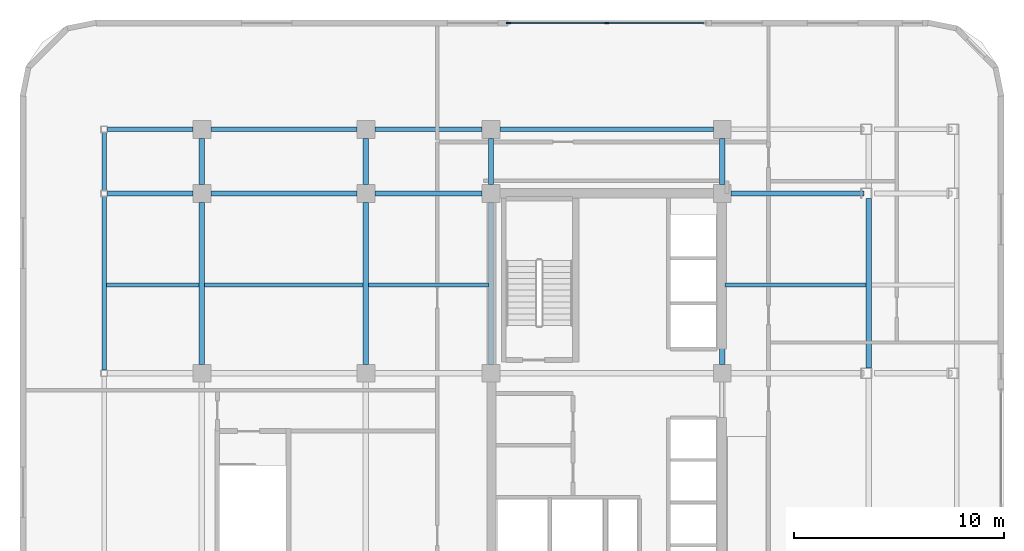
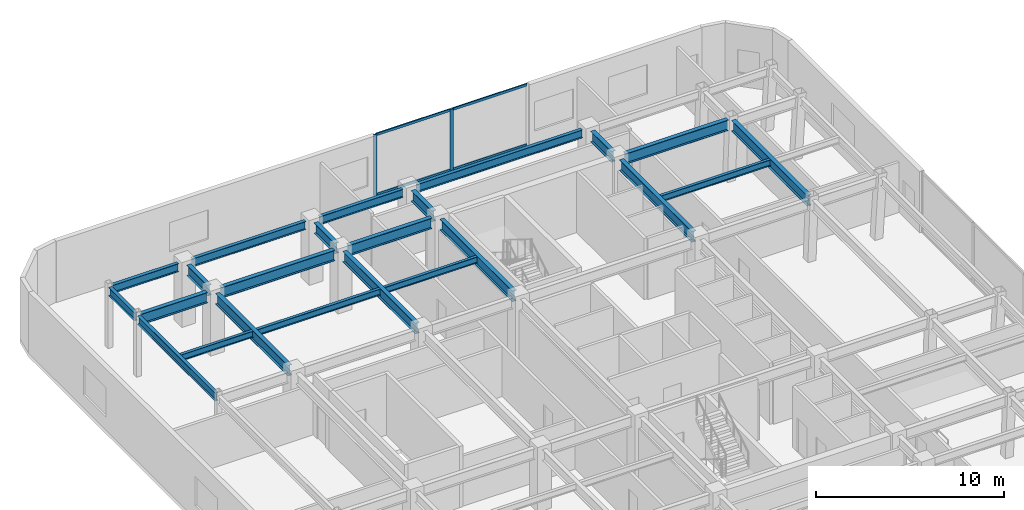
# One storey, part 6 of 13: 23 beams, 6 members, 1 element without a shape of its own.
"""IFC4 building model written with IfcOpenShell, lengths in metres."""

from ifc_helpers import new_model, si_unit, direction, frame, origin, origin_2d, place, context, subcontext, project, spatial, rectangle, i_section, extrude, material, layer, layer_set, material_profile, profile_set, type_object, element, aggregate, save


model = new_model("IFC4")

# Units and contexts
model_context = context("Model", 3, precision=1e-05, world=origin(), true_north=direction((0.0, 1.0)))
body_context = subcontext(model_context, "Body", "Model", "MODEL_VIEW")
ifc_project = project(units=[si_unit("LENGTHUNIT", "METRE"), si_unit("AREAUNIT", "SQUARE_METRE"), si_unit("VOLUMEUNIT", "CUBIC_METRE"), si_unit("PLANEANGLEUNIT", "RADIAN"), si_unit("MASSUNIT", "GRAM", prefix="KILO")], contexts=[model_context])

# Site, building, storey
site_placement = place(None, origin())
site = spatial("IfcSite", under=ifc_project, at=site_placement, CompositionType="ELEMENT")
building_placement = place(site_placement, origin())
building = spatial("IfcBuilding", under=site, at=building_placement, Name="Ochreholt Gables", CompositionType="ELEMENT")
storey_placement = place(building_placement, frame((0.0, 0.0, 60.0)))
storey = spatial("IfcBuildingStorey", under=building, at=storey_placement, Name="L15", CompositionType="ELEMENT", Elevation=60.0)

# Beams
ifc_material_1 = material(Name="Steel CSA G40.21 350W", Category="steel")
ifc_material_profile_1 = material_profile(ifc_material_1, i_section(OverallWidth=0.256103515625, OverallDepth=0.693115234375, WebThickness=0.014404296875, FlangeThickness=0.023681640625, at=origin_2d()), Name="W690X170")
ifc_profile_set_1 = profile_set([ifc_material_profile_1], Name="Steel CSA G40.21 350W")
beam_type_1 = type_object("IfcBeamType", Name="BM-G-W690", PredefinedType="BEAM", material=ifc_profile_set_1)
beam_1_placement = place(storey_placement, frame((5.9521484375, 38.75, 3.613525390625), z_axis=(1.0, 0.0, 0.0), x_axis=(0.0, 1.0, 0.0)))
element("IfcBeam", 1, at=beam_1_placement, inside=storey, type_object=beam_type_1, Name="L15 Beam TBG-L15-WTW2-Y5", PredefinedType="BEAM", context=body_context, shape_type="SweptSolid", body=[
    extrude(i_section(OverallWidth=0.256103515625, OverallDepth=0.693115234375, WebThickness=0.014404296875, FlangeThickness=0.023681640625, at=origin_2d()), origin(), (0.0, 0.0, 1.0), 4.0732421875),
])
beam_2_placement = place(storey_placement, frame((10.87451171875, 38.75, 3.613525390625), z_axis=(1.0, 0.0, 0.0), x_axis=(0.0, 1.0, 0.0)))
element("IfcBeam", 2, at=beam_2_placement, inside=storey, type_object=beam_type_1, Name="L15 Beam TBG-L15-W2W3-Y5", PredefinedType="BEAM", context=body_context, shape_type="SweptSolid", body=[
    extrude(i_section(OverallWidth=0.256103515625, OverallDepth=0.693115234375, WebThickness=0.014404296875, FlangeThickness=0.023681640625, at=origin_2d()), origin(), (0.0, 0.0, 1.0), 6.950927734375),
])
beam_3_placement = place(storey_placement, frame((18.674560546875, 38.75, 3.613525390625), z_axis=(1.0, 0.0, 0.0), x_axis=(0.0, 1.0, 0.0)))
element("IfcBeam", 3, at=beam_3_placement, inside=storey, type_object=beam_type_1, Name="L15 Beam TBG-L15-W3C1-Y5", PredefinedType="BEAM", context=body_context, shape_type="SweptSolid", body=[
    extrude(i_section(OverallWidth=0.256103515625, OverallDepth=0.693115234375, WebThickness=0.014404296875, FlangeThickness=0.023681640625, at=origin_2d()), origin(), (0.0, 0.0, 1.0), 5.100830078125),
])
beam_4_placement = place(storey_placement, frame((35.62451171875, 38.75, 3.613525390625), z_axis=(1.0, 0.0, 0.0), x_axis=(0.0, 1.0, 0.0)))
element("IfcBeam", 4, at=beam_4_placement, inside=storey, type_object=beam_type_1, Name="L15 Beam TBG-L15-C2EM-Y5", PredefinedType="BEAM", context=body_context, shape_type="SweptSolid", body=[
    extrude(i_section(OverallWidth=0.256103515625, OverallDepth=0.693115234375, WebThickness=0.014404296875, FlangeThickness=0.023681640625, at=origin_2d()), origin(), (0.0, 0.0, 1.0), 6.308837890625),
])
beam_5_placement = place(storey_placement, frame((10.449951171875, 30.62451171875, 3.613525390625), z_axis=(0.0, 1.0, 0.0), x_axis=(-1.0, 0.0, 0.0)))
element("IfcBeam", 5, at=beam_5_placement, inside=storey, type_object=beam_type_1, Name="L15 Beam TBN-L15-W2-Y4Y5", PredefinedType="BEAM", context=body_context, shape_type="SweptSolid", body=[
    extrude(i_section(OverallWidth=0.256103515625, OverallDepth=0.693115234375, WebThickness=0.014404296875, FlangeThickness=0.023681640625, at=origin_2d()), origin(), (0.0, 0.0, 1.0), 7.700927734375),
])
beam_6_placement = place(storey_placement, frame((10.449951171875, 39.174560546875, 3.613525390625), z_axis=(0.0, 1.0, 0.0), x_axis=(-1.0, 0.0, 0.0)))
element("IfcBeam", 6, at=beam_6_placement, inside=storey, type_object=beam_type_1, Name="L15 Beam TBN-L15-W2-Y5Y6", PredefinedType="BEAM", context=body_context, shape_type="SweptSolid", body=[
    extrude(i_section(OverallWidth=0.256103515625, OverallDepth=0.693115234375, WebThickness=0.014404296875, FlangeThickness=0.023681640625, at=origin_2d()), origin(), (0.0, 0.0, 1.0), 2.200927734375),
])
beam_7_placement = place(storey_placement, frame((18.25, 30.62451171875, 3.613525390625), z_axis=(0.0, 1.0, 0.0), x_axis=(-1.0, 0.0, 0.0)))
element("IfcBeam", 7, at=beam_7_placement, inside=storey, type_object=beam_type_1, Name="L15 Beam TBN-L15-W3-Y4Y5", PredefinedType="BEAM", context=body_context, shape_type="SweptSolid", body=[
    extrude(i_section(OverallWidth=0.256103515625, OverallDepth=0.693115234375, WebThickness=0.014404296875, FlangeThickness=0.023681640625, at=origin_2d()), origin(), (0.0, 0.0, 1.0), 7.700927734375),
])
beam_8_placement = place(storey_placement, frame((18.25, 39.174560546875, 3.613525390625), z_axis=(0.0, 1.0, 0.0), x_axis=(-1.0, 0.0, 0.0)))
element("IfcBeam", 8, at=beam_8_placement, inside=storey, type_object=beam_type_1, Name="L15 Beam TBN-L15-W3-Y5Y6", PredefinedType="BEAM", context=body_context, shape_type="SweptSolid", body=[
    extrude(i_section(OverallWidth=0.256103515625, OverallDepth=0.693115234375, WebThickness=0.014404296875, FlangeThickness=0.023681640625, at=origin_2d()), origin(), (0.0, 0.0, 1.0), 2.200927734375),
])
beam_9_placement = place(storey_placement, frame((24.199951171875, 30.62451171875, 3.613525390625), z_axis=(0.0, 1.0, 0.0), x_axis=(-1.0, 0.0, 0.0)))
element("IfcBeam", 9, at=beam_9_placement, inside=storey, type_object=beam_type_1, Name="L15 Beam TBN-L15-C1-Y4Y5", PredefinedType="BEAM", context=body_context, shape_type="SweptSolid", body=[
    extrude(i_section(OverallWidth=0.256103515625, OverallDepth=0.693115234375, WebThickness=0.014404296875, FlangeThickness=0.023681640625, at=origin_2d()), origin(), (0.0, 0.0, 1.0), 7.700927734375),
])
beam_10_placement = place(storey_placement, frame((24.199951171875, 39.174560546875, 3.613525390625), z_axis=(0.0, 1.0, 0.0), x_axis=(-1.0, 0.0, 0.0)))
element("IfcBeam", 10, at=beam_10_placement, inside=storey, type_object=beam_type_1, Name="L15 Beam TBN-L15-C1-Y5Y6", PredefinedType="BEAM", context=body_context, shape_type="SweptSolid", body=[
    extrude(i_section(OverallWidth=0.256103515625, OverallDepth=0.693115234375, WebThickness=0.014404296875, FlangeThickness=0.023681640625, at=origin_2d()), origin(), (0.0, 0.0, 1.0), 2.200927734375),
])
beam_11_placement = place(storey_placement, frame((35.199951171875, 30.62451171875, 3.613525390625), z_axis=(0.0, 1.0, 0.0), x_axis=(-1.0, 0.0, 0.0)))
element("IfcBeam", 11, at=beam_11_placement, inside=storey, type_object=beam_type_1, Name="L15 Beam TBN-L15-C2-Y4Y5", PredefinedType="BEAM", context=body_context, shape_type="SweptSolid", body=[
    extrude(i_section(OverallWidth=0.256103515625, OverallDepth=0.693115234375, WebThickness=0.014404296875, FlangeThickness=0.023681640625, at=origin_2d()), origin(), (0.0, 0.0, 1.0), 7.700927734375),
])
beam_12_placement = place(storey_placement, frame((35.199951171875, 39.174560546875, 3.613525390625), z_axis=(0.0, 1.0, 0.0), x_axis=(-1.0, 0.0, 0.0)))
element("IfcBeam", 12, at=beam_12_placement, inside=storey, type_object=beam_type_1, Name="L15 Beam TBN-L15-C2-Y5Y6", PredefinedType="BEAM", context=body_context, shape_type="SweptSolid", body=[
    extrude(i_section(OverallWidth=0.256103515625, OverallDepth=0.693115234375, WebThickness=0.014404296875, FlangeThickness=0.023681640625, at=origin_2d()), origin(), (0.0, 0.0, 1.0), 2.200927734375),
])
beam_13_placement = place(storey_placement, frame((42.165771484375, 30.44970703125, 3.613525390625), z_axis=(0.0, 1.0, 0.0), x_axis=(-1.0, 0.0, 0.0)))
element("IfcBeam", 13, at=beam_13_placement, inside=storey, type_object=beam_type_1, Name="L15 Beam TBN-L15-EM-Y4Y5", PredefinedType="BEAM", context=body_context, shape_type="SweptSolid", body=[
    extrude(i_section(OverallWidth=0.256103515625, OverallDepth=0.693115234375, WebThickness=0.014404296875, FlangeThickness=0.023681640625, at=origin_2d()), origin(), (0.0, 0.0, 1.0), 8.05078125),
])
ifc_material_profile_2 = material_profile(ifc_material_1, i_section(OverallWidth=0.178955078125, OverallDepth=0.409912109375, WebThickness=0.0087890625, FlangeThickness=0.014404296875, at=origin_2d()), Name="W410X67")
ifc_profile_set_2 = profile_set([ifc_material_profile_2], Name="Steel CSA G40.21 350W")
beam_type_2 = type_object("IfcBeamType", Name="BM-J-W410", PredefinedType="JOIST", material=ifc_profile_set_2)
beam_14_placement = place(storey_placement, frame((5.904052734375, 34.39990234375, 3.7548828125), z_axis=(1.0, 0.0, 0.0), x_axis=(0.0, 1.0, 0.0)))
element("IfcBeam", 14, at=beam_14_placement, inside=storey, type_object=beam_type_2, Name="L15 Beam TBJ-L15-J2-WTW2", PredefinedType="JOIST", context=body_context, shape_type="SweptSolid", body=[
    extrude(i_section(OverallWidth=0.178955078125, OverallDepth=0.409912109375, WebThickness=0.0087890625, FlangeThickness=0.014404296875, at=origin_2d()), origin(), (0.0, 0.0, 1.0), 4.41845703125),
])
beam_15_placement = place(storey_placement, frame((10.57763671875, 34.39990234375, 3.7548828125), z_axis=(1.0, 0.0, 0.0), x_axis=(0.0, 1.0, 0.0)))
element("IfcBeam", 15, at=beam_15_placement, inside=storey, type_object=beam_type_2, Name="L15 Beam TBJ-L15-J2-W2W3", PredefinedType="JOIST", context=body_context, shape_type="SweptSolid", body=[
    extrude(i_section(OverallWidth=0.178955078125, OverallDepth=0.409912109375, WebThickness=0.0087890625, FlangeThickness=0.014404296875, at=origin_2d()), origin(), (0.0, 0.0, 1.0), 7.544677734375),
])
beam_16_placement = place(storey_placement, frame((18.377685546875, 34.39990234375, 3.7548828125), z_axis=(1.0, 0.0, 0.0), x_axis=(0.0, 1.0, 0.0)))
element("IfcBeam", 16, at=beam_16_placement, inside=storey, type_object=beam_type_2, Name="L15 Beam TBJ-L15-J2-W3C1", PredefinedType="JOIST", context=body_context, shape_type="SweptSolid", body=[
    extrude(i_section(OverallWidth=0.178955078125, OverallDepth=0.409912109375, WebThickness=0.0087890625, FlangeThickness=0.014404296875, at=origin_2d()), origin(), (0.0, 0.0, 1.0), 5.69482421875),
])
beam_17_placement = place(storey_placement, frame((35.32763671875, 34.39990234375, 3.7548828125), z_axis=(1.0, 0.0, 0.0), x_axis=(0.0, 1.0, 0.0)))
element("IfcBeam", 17, at=beam_17_placement, inside=storey, type_object=beam_type_2, Name="L15 Beam TBJ-L15-J2-C2EM", PredefinedType="JOIST", context=body_context, shape_type="SweptSolid", body=[
    extrude(i_section(OverallWidth=0.178955078125, OverallDepth=0.409912109375, WebThickness=0.0087890625, FlangeThickness=0.014404296875, at=origin_2d()), origin(), (0.0, 0.0, 1.0), 6.71044921875),
])
ifc_material_profile_3 = material_profile(ifc_material_1, i_section(OverallWidth=0.208984375, OverallDepth=0.532958984375, WebThickness=0.01025390625, FlangeThickness=0.015625, at=origin_2d()), Name="W530X92")
ifc_profile_set_3 = profile_set([ifc_material_profile_3], Name="Steel CSA G40.21 350W")
beam_type_3 = type_object("IfcBeamType", Name="BM-SP-W530B", PredefinedType="SPANDREL", material=ifc_profile_set_3)
beam_18_placement = place(storey_placement, frame((5.9521484375, 41.800048828125, 3.693603515625), z_axis=(1.0, 0.0, 0.0), x_axis=(0.0, 1.0, 0.0)))
element("IfcBeam", 18, at=beam_18_placement, inside=storey, type_object=beam_type_3, Name="L15 Beam TBG-L15-WTW2-Y6", PredefinedType="SPANDREL", context=body_context, shape_type="SweptSolid", body=[
    extrude(i_section(OverallWidth=0.208984375, OverallDepth=0.532958984375, WebThickness=0.01025390625, FlangeThickness=0.015625, at=origin_2d()), origin(), (0.0, 0.0, 1.0), 4.0732421875),
])
beam_19_placement = place(storey_placement, frame((10.87451171875, 41.800048828125, 3.693603515625), z_axis=(1.0, 0.0, 0.0), x_axis=(0.0, 1.0, 0.0)))
element("IfcBeam", 19, at=beam_19_placement, inside=storey, type_object=beam_type_3, Name="L15 Beam TBG-L15-W2W3-Y6", PredefinedType="SPANDREL", context=body_context, shape_type="SweptSolid", body=[
    extrude(i_section(OverallWidth=0.208984375, OverallDepth=0.532958984375, WebThickness=0.01025390625, FlangeThickness=0.015625, at=origin_2d()), origin(), (0.0, 0.0, 1.0), 6.950927734375),
])
beam_20_placement = place(storey_placement, frame((18.674560546875, 41.800048828125, 3.693603515625), z_axis=(1.0, 0.0, 0.0), x_axis=(0.0, 1.0, 0.0)))
element("IfcBeam", 20, at=beam_20_placement, inside=storey, type_object=beam_type_3, Name="L15 Beam TBG-L15-W3C1-Y6", PredefinedType="SPANDREL", context=body_context, shape_type="SweptSolid", body=[
    extrude(i_section(OverallWidth=0.208984375, OverallDepth=0.532958984375, WebThickness=0.01025390625, FlangeThickness=0.015625, at=origin_2d()), origin(), (0.0, 0.0, 1.0), 5.100830078125),
])
beam_21_placement = place(storey_placement, frame((24.62451171875, 41.800048828125, 3.693603515625), z_axis=(1.0, 0.0, 0.0), x_axis=(0.0, 1.0, 0.0)))
element("IfcBeam", 21, at=beam_21_placement, inside=storey, type_object=beam_type_3, Name="L15 Beam TBG-L15-C1C2-Y6", PredefinedType="SPANDREL", context=body_context, shape_type="SweptSolid", body=[
    extrude(i_section(OverallWidth=0.208984375, OverallDepth=0.532958984375, WebThickness=0.01025390625, FlangeThickness=0.015625, at=origin_2d()), origin(), (0.0, 0.0, 1.0), 10.15087890625),
])
beam_22_placement = place(storey_placement, frame((5.800048828125, 30.35205078125, 3.693603515625), z_axis=(0.0, 1.0, 0.0), x_axis=(-1.0, 0.0, 0.0)))
element("IfcBeam", 22, at=beam_22_placement, inside=storey, type_object=beam_type_3, Name="L15 Beam TBN-L15-WT-Y4Y5", PredefinedType="SPANDREL", context=body_context, shape_type="SweptSolid", body=[
    extrude(i_section(OverallWidth=0.208984375, OverallDepth=0.532958984375, WebThickness=0.01025390625, FlangeThickness=0.015625, at=origin_2d()), origin(), (0.0, 0.0, 1.0), 8.245849609375),
])
beam_23_placement = place(storey_placement, frame((5.800048828125, 38.902099609375, 3.693603515625), z_axis=(0.0, 1.0, 0.0), x_axis=(-1.0, 0.0, 0.0)))
element("IfcBeam", 23, at=beam_23_placement, inside=storey, type_object=beam_type_3, Name="L15 Beam TBN-L15-WT-Y5Y6", PredefinedType="SPANDREL", context=body_context, shape_type="SweptSolid", body=[
    extrude(i_section(OverallWidth=0.208984375, OverallDepth=0.532958984375, WebThickness=0.01025390625, FlangeThickness=0.015625, at=origin_2d()), origin(), (0.0, 0.0, 1.0), 2.745849609375),
])

# Curtain wall, members
ifc_material_2 = material(Name="Unitised Aluminium and Triple Glazing", Category="aluminium")
ifc_layer = layer(ifc_material_2, 0.219970703125, Name="Unitised Aluminium and Triple Glazing")
ifc_layer_set = layer_set([ifc_layer], Name="Unitised Aluminium and Triple Glazing")
curtain_wall_type = type_object("IfcCurtainWallType", Name="CW-SYS6", PredefinedType="NOTDEFINED", material=ifc_layer_set)
curtain_wall_placement = place(storey_placement, origin())
curtain_wall = element("IfcCurtainWall", 24, at=curtain_wall_placement, inside=storey, type_object=curtain_wall_type, Name="L15 North Unitised Curtain Wall", PredefinedType="NOTDEFINED")
ifc_material_3 = material(Name="Anodized Aluminium 6063-T6", Category="aluminium")
ifc_material_profile_4 = material_profile(ifc_material_3, rectangle(XDim=0.074951171875, YDim=0.199951171875, at=origin_2d()), Name="CWM75X200")
ifc_profile_set_4 = profile_set([ifc_material_profile_4], Name="Anodized Aluminium 6063-T6")
member_type_1 = type_object("IfcMemberType", Name="CW-MUL-A", PredefinedType="MULLION", material=ifc_profile_set_4)
member_1_placement = place(storey_placement, frame((29.699951171875, 46.85498046875, 0.0), z_axis=(0.0, 0.0, 1.0), x_axis=(0.0, -1.0, 0.0)))
member_1 = element("IfcMember", 25, at=member_1_placement, type_object=member_type_1, Name="CW-6 mullion 2", PredefinedType="MULLION", context=body_context, shape_type="SweptSolid", body=[
    extrude(rectangle(XDim=0.074951171875, YDim=0.199951171875, at=origin_2d()), origin(), (0.0, 0.0, 1.0), 3.9599609375),
])
member_2_placement = place(storey_placement, frame((25.03759765625, 46.85498046875, 0.0), z_axis=(0.0, 0.0, 1.0), x_axis=(0.0, -1.0, 0.0)))
member_2 = element("IfcMember", 26, at=member_2_placement, type_object=member_type_1, Name="CW-6 mullion 3", PredefinedType="MULLION", context=body_context, shape_type="SweptSolid", body=[
    extrude(rectangle(XDim=0.074951171875, YDim=0.199951171875, at=origin_2d()), origin(), (0.0, 0.0, 1.0), 3.9599609375),
])
ifc_material_profile_5 = material_profile(ifc_material_3, rectangle(XDim=0.074951171875, YDim=0.159912109375, at=origin_2d()), Name="CWT75X160")
ifc_profile_set_5 = profile_set([ifc_material_profile_5], Name="Anodized Aluminium 6063-T6")
member_type_2 = type_object("IfcMemberType", Name="CW-TRN-A", PredefinedType="USERDEFINED", material=ifc_profile_set_5)
member_3_placement = place(storey_placement, frame((34.324951171875, 46.85498046875, 0.03759765625), z_axis=(-1.0, 0.0, 0.0), x_axis=(0.0, -1.0, 0.0)))
member_3 = element("IfcMember", 27, at=member_3_placement, type_object=member_type_2, Name="CW-6 transom 1.1", ObjectType="TRANSOM", PredefinedType="USERDEFINED", context=body_context, shape_type="SweptSolid", body=[
    extrude(rectangle(XDim=0.074951171875, YDim=0.159912109375, at=origin_2d()), origin(), (0.0, 0.0, 1.0), 4.58740234375),
])
member_4_placement = place(storey_placement, frame((34.324951171875, 46.85498046875, 3.922607421875), z_axis=(-1.0, 0.0, 0.0), x_axis=(0.0, -1.0, 0.0)))
member_4 = element("IfcMember", 28, at=member_4_placement, type_object=member_type_2, Name="CW-6 transom 1.2", ObjectType="TRANSOM", PredefinedType="USERDEFINED", context=body_context, shape_type="SweptSolid", body=[
    extrude(rectangle(XDim=0.074951171875, YDim=0.159912109375, at=origin_2d()), origin(), (0.0, 0.0, 1.0), 4.58740234375),
])
member_5_placement = place(storey_placement, frame((29.66259765625, 46.85498046875, 0.03759765625), z_axis=(-1.0, 0.0, 0.0), x_axis=(0.0, -1.0, 0.0)))
member_5 = element("IfcMember", 29, at=member_5_placement, type_object=member_type_2, Name="CW-6 transom 2.1", ObjectType="TRANSOM", PredefinedType="USERDEFINED", context=body_context, shape_type="SweptSolid", body=[
    extrude(rectangle(XDim=0.074951171875, YDim=0.159912109375, at=origin_2d()), origin(), (0.0, 0.0, 1.0), 4.587646484375),
])
member_6_placement = place(storey_placement, frame((29.66259765625, 46.85498046875, 3.922607421875), z_axis=(-1.0, 0.0, 0.0), x_axis=(0.0, -1.0, 0.0)))
member_6 = element("IfcMember", 30, at=member_6_placement, type_object=member_type_2, Name="CW-6 transom 2.2", ObjectType="TRANSOM", PredefinedType="USERDEFINED", context=body_context, shape_type="SweptSolid", body=[
    extrude(rectangle(XDim=0.074951171875, YDim=0.159912109375, at=origin_2d()), origin(), (0.0, 0.0, 1.0), 4.587646484375),
])
aggregate(curtain_wall, [member_1, member_2, member_3, member_4, member_5, member_6])

save(model, "model.ifc")
